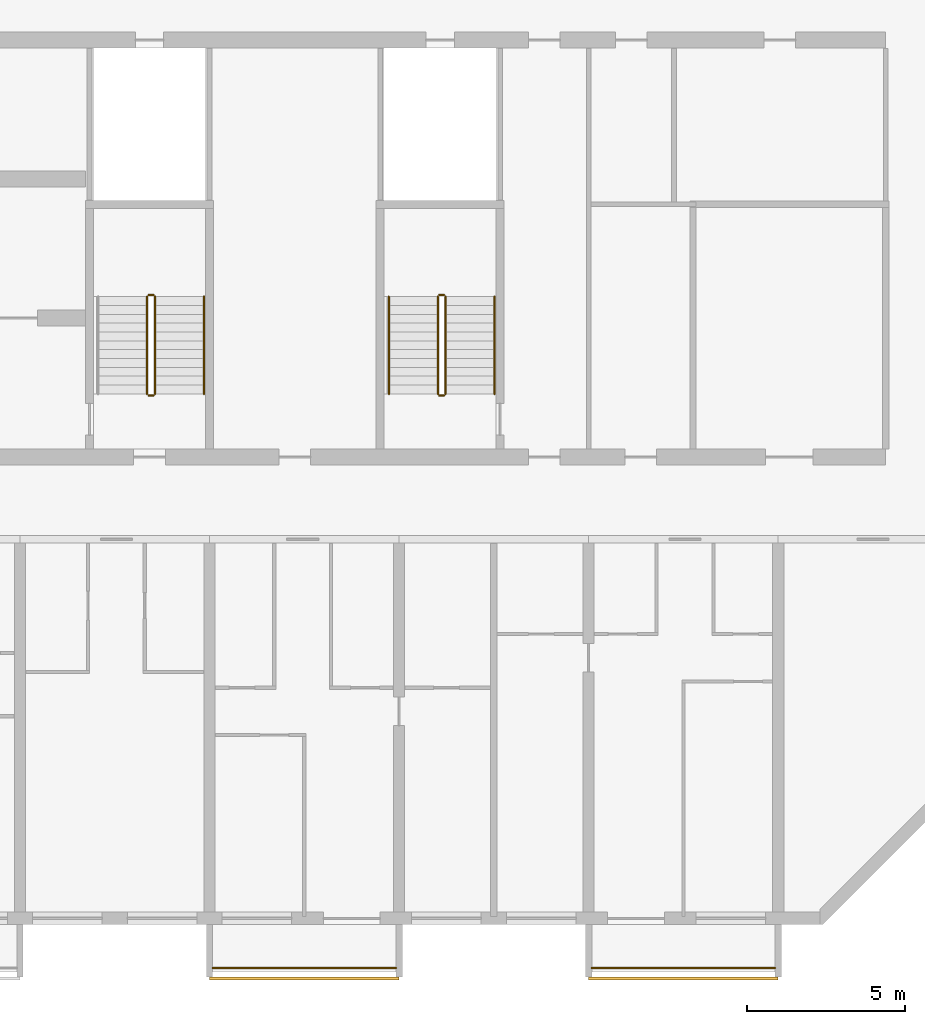
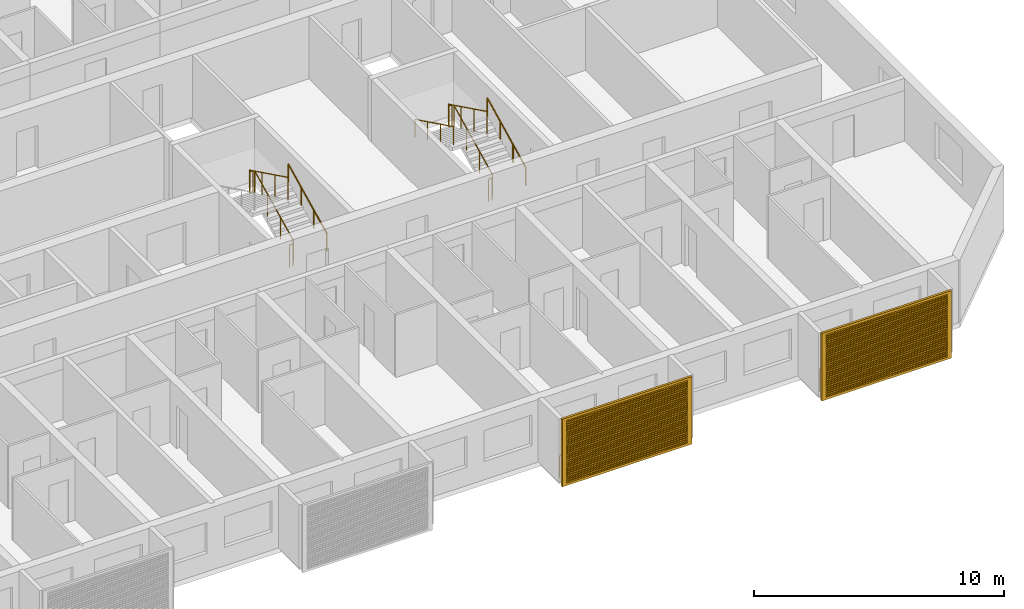
# One storey, part 25 of 27: 13 railings, 2 shading devices.
"""IFC4 building model written with IfcOpenShell, lengths in metres."""

from ifc_helpers import new_model, si_unit, direction, frame, origin, origin_2d, place, context, subcontext, project, spatial, polyline, circle, outline, extrude, source, transform, mapped, material, material_profile, profile_set, type_object, element, save


model = new_model("IFC4")

# Units and contexts
model_context = context("Model", 3, precision=1e-05, world=origin(), true_north=direction((0.0, 1.0)))
body_context = subcontext(model_context, "Body", "Model", "MODEL_VIEW")
ifc_project = project(units=[si_unit("LENGTHUNIT", "METRE"), si_unit("AREAUNIT", "SQUARE_METRE"), si_unit("VOLUMEUNIT", "CUBIC_METRE"), si_unit("PLANEANGLEUNIT", "RADIAN"), si_unit("MASSUNIT", "GRAM", prefix="KILO")], contexts=[model_context])

# Site, building, storey
site_placement = place(None, origin())
site = spatial("IfcSite", under=ifc_project, at=site_placement, CompositionType="ELEMENT")
building_placement = place(site_placement, origin())
building = spatial("IfcBuilding", under=site, at=building_placement, Name="Poui Terraces", CompositionType="ELEMENT")
storey_placement = place(building_placement, frame((0.0, 0.0, 76.199951171875)))
storey = spatial("IfcBuildingStorey", under=building, at=storey_placement, Name="L20", CompositionType="ELEMENT", Elevation=76.199951171875)

# Railings
ifc_material_1 = material(Name="Painted steel fretwork", Category="steel")
railing_type_1 = type_object("IfcRailingType", Name="BALCONY GUARD 1100", PredefinedType="GUARDRAIL", material=ifc_material_1)
for number, where, name in (
    (1, (72.10009765625, -1.570068359375, 0.0), "BALCONY GUARD"),
    (2, (84.10009765625, -1.570068359375, 0.0), "BALCONY GUARD"),
):
    element("IfcRailing", number, at=place(storey_placement, frame(where)), inside=storey, type_object=railing_type_1, Name=name, PredefinedType="GUARDRAIL", context=body_context, shape_type="SweptSolid", body=[
        extrude(circle(Radius=0.02392578125, at=origin_2d()), frame((0.0, 0.0, 1.076171875), z_axis=(1.0, 0.0, 0.0), x_axis=(0.0, 1.0, 0.0)), (0.0, 0.0, 1.0), 5.7998046875),
        extrude(circle(Radius=0.02099609375, at=origin_2d()), origin(), (0.0, 0.0, 1.0), 1.052001953125),
        extrude(circle(Radius=0.02099609375, at=origin_2d()), frame((0.966552734375, 0.0, 0.0)), (0.0, 0.0, 1.0), 1.052001953125),
        extrude(circle(Radius=0.02099609375, at=origin_2d()), frame((1.933349609375, 0.0, 0.0)), (0.0, 0.0, 1.0), 1.052001953125),
        extrude(circle(Radius=0.02099609375, at=origin_2d()), frame((2.89990234375, 0.0, 0.0)), (0.0, 0.0, 1.0), 1.052001953125),
        extrude(circle(Radius=0.02099609375, at=origin_2d()), frame((3.866455078125, 0.0, 0.0)), (0.0, 0.0, 1.0), 1.052001953125),
        extrude(circle(Radius=0.02099609375, at=origin_2d()), frame((4.833251953125, 0.0, 0.0)), (0.0, 0.0, 1.0), 1.052001953125),
        extrude(circle(Radius=0.02099609375, at=origin_2d()), frame((5.7998046875, 0.0, 0.0)), (0.0, 0.0, 1.0), 1.052001953125),
    ])
ifc_material_2 = material(Name="Galvanised steel balustrade", Category="steel")
railing_type_2 = type_object("IfcRailingType", Name="STAIR GUARD 1100", PredefinedType="GUARDRAIL", material=ifc_material_2)
railing_1_placement = place(storey_placement, frame((70.27490234375, 16.60009765625, 0.137451171875)))
element("IfcRailing", 3, at=railing_1_placement, inside=storey, type_object=railing_type_2, Name="L20 ST-CE stair guard 1", PredefinedType="GUARDRAIL", context=body_context, shape_type="SweptSolid", body=[
    extrude(circle(Radius=0.02392578125, at=origin_2d()), frame((0.0, 0.0, 1.076171875), z_axis=(0.0, 0.897578036475, 0.440855609512), x_axis=(-1.0, 0.0, 0.0)), (0.0, 0.0, 1.0), 3.43115234375),
    extrude(circle(Radius=0.02099609375, at=origin_2d()), origin(), (0.0, 0.0, 1.0), 1.052001953125),
    extrude(circle(Radius=0.02099609375, at=origin_2d()), frame((0.0, 1.026611328125, 0.504150390625)), (0.0, 0.0, 1.0), 1.052001953125),
    extrude(circle(Radius=0.02099609375, at=origin_2d()), frame((0.0, 2.05322265625, 1.008544921875)), (0.0, 0.0, 1.0), 1.052001953125),
    extrude(circle(Radius=0.02099609375, at=origin_2d()), frame((0.0, 3.079833984375, 1.5126953125)), (0.0, 0.0, 1.0), 1.052001953125),
])
railing_2_placement = place(storey_placement, frame((70.22509765625, 19.72998046875, 1.650146484375)))
element("IfcRailing", 4, at=railing_2_placement, inside=storey, type_object=railing_type_2, Name="L20 ST-CE stair guard 2", PredefinedType="GUARDRAIL", context=body_context, shape_type="SweptSolid", body=[
    extrude(circle(Radius=0.02392578125, at=origin_2d()), frame((0.0, 0.0, 1.076171875), z_axis=(-1.0, 0.0, 0.0), x_axis=(0.0, -1.0, 0.0)), (0.0, 0.0, 1.0), 0.150146484375),
    extrude(circle(Radius=0.02099609375, at=origin_2d()), origin(), (0.0, 0.0, 1.0), 1.052001953125),
    extrude(circle(Radius=0.02099609375, at=origin_2d()), frame((-0.150146484375, 0.0, 0.0)), (0.0, 0.0, 1.0), 1.052001953125),
])
railing_3_placement = place(storey_placement, frame((70.02490234375, 19.679931640625, 1.78759765625)))
element("IfcRailing", 5, at=railing_3_placement, inside=storey, type_object=railing_type_2, Name="L20 ST-CE stair guard 3", PredefinedType="GUARDRAIL", context=body_context, shape_type="SweptSolid", body=[
    extrude(circle(Radius=0.02392578125, at=origin_2d()), frame((0.0, 0.0, 1.076171875), z_axis=(0.0, -0.897606190399, 0.440798283751), x_axis=(1.0, 0.0, 0.0)), (0.0, 0.0, 1.0), 3.43115234375),
    extrude(circle(Radius=0.02099609375, at=origin_2d()), origin(), (0.0, 0.0, 1.0), 1.052001953125),
    extrude(circle(Radius=0.02099609375, at=origin_2d()), frame((0.0, -1.026611328125, 0.504150390625)), (0.0, 0.0, 1.0), 1.052001953125),
    extrude(circle(Radius=0.02099609375, at=origin_2d()), frame((0.0, -2.05322265625, 1.00830078125)), (0.0, 0.0, 1.0), 1.052001953125),
    extrude(circle(Radius=0.02099609375, at=origin_2d()), frame((0.0, -3.079833984375, 1.512451171875)), (0.0, 0.0, 1.0), 1.052001953125),
])
railing_4_placement = place(storey_placement, frame((70.22509765625, 16.550048828125, 0.0)))
element("IfcRailing", 6, at=railing_4_placement, inside=storey, type_object=railing_type_2, Name="L20 ST-CE stair guard 4", PredefinedType="GUARDRAIL", context=body_context, shape_type="SweptSolid", body=[
    extrude(circle(Radius=0.02392578125, at=origin_2d()), frame((0.0, 0.0, 1.076171875), z_axis=(-1.0, 0.0, 0.0), x_axis=(0.0, -1.0, 0.0)), (0.0, 0.0, 1.0), 0.150146484375),
    extrude(circle(Radius=0.02099609375, at=origin_2d()), origin(), (0.0, 0.0, 1.0), 1.052001953125),
    extrude(circle(Radius=0.02099609375, at=origin_2d()), frame((-0.150146484375, 0.0, 0.0)), (0.0, 0.0, 1.0), 1.052001953125),
])
railing_5_placement = place(storey_placement, frame((79.47509765625, 16.60009765625, 0.137451171875)))
element("IfcRailing", 7, at=railing_5_placement, inside=storey, type_object=railing_type_2, Name="L20 ST-E stair guard 1", PredefinedType="GUARDRAIL", context=body_context, shape_type="SweptSolid", body=[
    extrude(circle(Radius=0.02392578125, at=origin_2d()), frame((0.0, 0.0, 1.076171875), z_axis=(0.0, 0.897578036475, 0.440855609512), x_axis=(-1.0, 0.0, 0.0)), (0.0, 0.0, 1.0), 3.43115234375),
    extrude(circle(Radius=0.02099609375, at=origin_2d()), origin(), (0.0, 0.0, 1.0), 1.052001953125),
    extrude(circle(Radius=0.02099609375, at=origin_2d()), frame((0.0, 1.026611328125, 0.504150390625)), (0.0, 0.0, 1.0), 1.052001953125),
    extrude(circle(Radius=0.02099609375, at=origin_2d()), frame((0.0, 2.05322265625, 1.008544921875)), (0.0, 0.0, 1.0), 1.052001953125),
    extrude(circle(Radius=0.02099609375, at=origin_2d()), frame((0.0, 3.079833984375, 1.5126953125)), (0.0, 0.0, 1.0), 1.052001953125),
])
railing_6_placement = place(storey_placement, frame((79.425048828125, 19.72998046875, 1.650146484375)))
element("IfcRailing", 8, at=railing_6_placement, inside=storey, type_object=railing_type_2, Name="L20 ST-E stair guard 2", PredefinedType="GUARDRAIL", context=body_context, shape_type="SweptSolid", body=[
    extrude(circle(Radius=0.02392578125, at=origin_2d()), frame((0.0, 0.0, 1.076171875), z_axis=(-1.0, 0.0, 0.0), x_axis=(0.0, -1.0, 0.0)), (0.0, 0.0, 1.0), 0.150146484375),
    extrude(circle(Radius=0.02099609375, at=origin_2d()), origin(), (0.0, 0.0, 1.0), 1.052001953125),
    extrude(circle(Radius=0.02099609375, at=origin_2d()), frame((-0.150146484375, 0.0, 0.0)), (0.0, 0.0, 1.0), 1.052001953125),
])
railing_7_placement = place(storey_placement, frame((79.22509765625, 19.679931640625, 1.78759765625)))
element("IfcRailing", 9, at=railing_7_placement, inside=storey, type_object=railing_type_2, Name="L20 ST-E stair guard 3", PredefinedType="GUARDRAIL", context=body_context, shape_type="SweptSolid", body=[
    extrude(circle(Radius=0.02392578125, at=origin_2d()), frame((0.0, 0.0, 1.076171875), z_axis=(0.0, -0.897606190399, 0.440798283751), x_axis=(1.0, 0.0, 0.0)), (0.0, 0.0, 1.0), 3.43115234375),
    extrude(circle(Radius=0.02099609375, at=origin_2d()), origin(), (0.0, 0.0, 1.0), 1.052001953125),
    extrude(circle(Radius=0.02099609375, at=origin_2d()), frame((0.0, -1.026611328125, 0.504150390625)), (0.0, 0.0, 1.0), 1.052001953125),
    extrude(circle(Radius=0.02099609375, at=origin_2d()), frame((0.0, -2.05322265625, 1.00830078125)), (0.0, 0.0, 1.0), 1.052001953125),
    extrude(circle(Radius=0.02099609375, at=origin_2d()), frame((0.0, -3.079833984375, 1.512451171875)), (0.0, 0.0, 1.0), 1.052001953125),
])
railing_8_placement = place(storey_placement, frame((79.425048828125, 16.550048828125, 0.0)))
element("IfcRailing", 10, at=railing_8_placement, inside=storey, type_object=railing_type_2, Name="L20 ST-E stair guard 4", PredefinedType="GUARDRAIL", context=body_context, shape_type="SweptSolid", body=[
    extrude(circle(Radius=0.02392578125, at=origin_2d()), frame((0.0, 0.0, 1.076171875), z_axis=(-1.0, 0.0, 0.0), x_axis=(0.0, -1.0, 0.0)), (0.0, 0.0, 1.0), 0.150146484375),
    extrude(circle(Radius=0.02099609375, at=origin_2d()), origin(), (0.0, 0.0, 1.0), 1.052001953125),
    extrude(circle(Radius=0.02099609375, at=origin_2d()), frame((-0.150146484375, 0.0, 0.0)), (0.0, 0.0, 1.0), 1.052001953125),
])
ifc_material_3 = material(Name="Stainless steel handrail", Category="steel")
railing_type_3 = type_object("IfcRailingType", Name="STAIR HANDRAIL 900", PredefinedType="HANDRAIL", material=ifc_material_3)
for number, where, name in (
    (11, (71.824951171875, 16.60009765625, 0.137451171875), "L20 ST-CE stair handrail 1"),
    (12, (81.02490234375, 16.60009765625, 0.137451171875), "L20 ST-E stair handrail 1"),
):
    element("IfcRailing", number, at=place(storey_placement, frame(where)), inside=storey, type_object=railing_type_3, Name=name, PredefinedType="HANDRAIL", context=body_context, shape_type="SweptSolid", body=[
        extrude(circle(Radius=0.02392578125, at=origin_2d()), frame((0.0, 0.0, 0.8759765625), z_axis=(0.0, 0.897578036475, 0.440855609512), x_axis=(-1.0, 0.0, 0.0)), (0.0, 0.0, 1.0), 3.43115234375),
        extrude(circle(Radius=0.02099609375, at=origin_2d()), origin(), (0.0, 0.0, 1.0), 0.851806640625),
        extrude(circle(Radius=0.02099609375, at=origin_2d()), frame((0.0, 1.026611328125, 0.504150390625)), (0.0, 0.0, 1.0), 0.851806640625),
        extrude(circle(Radius=0.02099609375, at=origin_2d()), frame((0.0, 2.05322265625, 1.008544921875)), (0.0, 0.0, 1.0), 0.851806640625),
        extrude(circle(Radius=0.02099609375, at=origin_2d()), frame((0.0, 3.079833984375, 1.5126953125)), (0.0, 0.0, 1.0), 0.851806640625),
    ])
railing_9_placement = place(storey_placement, frame((77.675048828125, 19.679931640625, 1.78759765625)))
element("IfcRailing", 13, at=railing_9_placement, inside=storey, type_object=railing_type_3, Name="L20 ST-E stair handrail 2", PredefinedType="HANDRAIL", context=body_context, shape_type="SweptSolid", body=[
    extrude(circle(Radius=0.02392578125, at=origin_2d()), frame((0.0, 0.0, 0.8759765625), z_axis=(0.0, -0.897606190399, 0.440798283751), x_axis=(1.0, 0.0, 0.0)), (0.0, 0.0, 1.0), 3.43115234375),
    extrude(circle(Radius=0.02099609375, at=origin_2d()), origin(), (0.0, 0.0, 1.0), 0.851806640625),
    extrude(circle(Radius=0.02099609375, at=origin_2d()), frame((0.0, -1.026611328125, 0.504150390625)), (0.0, 0.0, 1.0), 0.851806640625),
    extrude(circle(Radius=0.02099609375, at=origin_2d()), frame((0.0, -2.05322265625, 1.00830078125)), (0.0, 0.0, 1.0), 0.851806640625),
    extrude(circle(Radius=0.02099609375, at=origin_2d()), frame((0.0, -3.079833984375, 1.512451171875)), (0.0, 0.0, 1.0), 0.851806640625),
])

# Shading devices
ifc_material_4 = material(Name="Aluminium louvre", Category="aluminium")
ifc_material_profile = material_profile(ifc_material_4, outline(polyline([(-3.0, -1.64990234375), (3.0, -1.64990234375), (3.0, 1.64990234375), (-3.0, 1.64990234375), (-3.0, -1.64990234375)]), holes=[polyline([(-2.800048828125, -1.530029296875), (2.800048828125, -1.530029296875), (2.800048828125, -1.469970703125), (-2.800048828125, -1.469970703125), (-2.800048828125, -1.530029296875)]), polyline([(-2.800048828125, -1.429931640625), (2.800048828125, -1.429931640625), (2.800048828125, -1.3701171875), (-2.800048828125, -1.3701171875), (-2.800048828125, -1.429931640625)]), polyline([(-2.800048828125, -1.330078125), (2.800048828125, -1.330078125), (2.800048828125, -1.27001953125), (-2.800048828125, -1.27001953125), (-2.800048828125, -1.330078125)]), polyline([(-2.800048828125, -1.22998046875), (2.800048828125, -1.22998046875), (2.800048828125, -1.169921875), (-2.800048828125, -1.169921875), (-2.800048828125, -1.22998046875)]), polyline([(-2.800048828125, -1.1298828125), (2.800048828125, -1.1298828125), (2.800048828125, -1.070068359375), (-2.800048828125, -1.070068359375), (-2.800048828125, -1.1298828125)]), polyline([(-2.800048828125, -1.030029296875), (2.800048828125, -1.030029296875), (2.800048828125, -0.969970703125), (-2.800048828125, -0.969970703125), (-2.800048828125, -1.030029296875)]), polyline([(-2.800048828125, -0.929931640625), (2.800048828125, -0.929931640625), (2.800048828125, -0.8701171875), (-2.800048828125, -0.8701171875), (-2.800048828125, -0.929931640625)]), polyline([(-2.800048828125, -0.830078125), (2.800048828125, -0.830078125), (2.800048828125, -0.77001953125), (-2.800048828125, -0.77001953125), (-2.800048828125, -0.830078125)]), polyline([(-2.800048828125, -0.72998046875), (2.800048828125, -0.72998046875), (2.800048828125, -0.669921875), (-2.800048828125, -0.669921875), (-2.800048828125, -0.72998046875)]), polyline([(-2.800048828125, -0.6298828125), (2.800048828125, -0.6298828125), (2.800048828125, -0.570068359375), (-2.800048828125, -0.570068359375), (-2.800048828125, -0.6298828125)]), polyline([(-2.800048828125, -0.530029296875), (2.800048828125, -0.530029296875), (2.800048828125, -0.469970703125), (-2.800048828125, -0.469970703125), (-2.800048828125, -0.530029296875)]), polyline([(-2.800048828125, -0.429931640625), (2.800048828125, -0.429931640625), (2.800048828125, -0.3701171875), (-2.800048828125, -0.3701171875), (-2.800048828125, -0.429931640625)]), polyline([(-2.800048828125, -0.330078125), (2.800048828125, -0.330078125), (2.800048828125, -0.27001953125), (-2.800048828125, -0.27001953125), (-2.800048828125, -0.330078125)]), polyline([(-2.800048828125, -0.22998046875), (2.800048828125, -0.22998046875), (2.800048828125, -0.169921875), (-2.800048828125, -0.169921875), (-2.800048828125, -0.22998046875)]), polyline([(-2.800048828125, -0.1298828125), (2.800048828125, -0.1298828125), (2.800048828125, -0.070068359375), (-2.800048828125, -0.070068359375), (-2.800048828125, -0.1298828125)]), polyline([(-2.800048828125, -0.030029296875), (2.800048828125, -0.030029296875), (2.800048828125, 0.030029296875), (-2.800048828125, 0.030029296875), (-2.800048828125, -0.030029296875)]), polyline([(-2.800048828125, 0.070068359375), (2.800048828125, 0.070068359375), (2.800048828125, 0.1298828125), (-2.800048828125, 0.1298828125), (-2.800048828125, 0.070068359375)]), polyline([(-2.800048828125, 0.169921875), (2.800048828125, 0.169921875), (2.800048828125, 0.22998046875), (-2.800048828125, 0.22998046875), (-2.800048828125, 0.169921875)]), polyline([(-2.800048828125, 0.27001953125), (2.800048828125, 0.27001953125), (2.800048828125, 0.330078125), (-2.800048828125, 0.330078125), (-2.800048828125, 0.27001953125)]), polyline([(-2.800048828125, 0.3701171875), (2.800048828125, 0.3701171875), (2.800048828125, 0.429931640625), (-2.800048828125, 0.429931640625), (-2.800048828125, 0.3701171875)]), polyline([(-2.800048828125, 0.469970703125), (2.800048828125, 0.469970703125), (2.800048828125, 0.530029296875), (-2.800048828125, 0.530029296875), (-2.800048828125, 0.469970703125)]), polyline([(-2.800048828125, 0.570068359375), (2.800048828125, 0.570068359375), (2.800048828125, 0.6298828125), (-2.800048828125, 0.6298828125), (-2.800048828125, 0.570068359375)]), polyline([(-2.800048828125, 0.669921875), (2.800048828125, 0.669921875), (2.800048828125, 0.72998046875), (-2.800048828125, 0.72998046875), (-2.800048828125, 0.669921875)]), polyline([(-2.800048828125, 0.77001953125), (2.800048828125, 0.77001953125), (2.800048828125, 0.830078125), (-2.800048828125, 0.830078125), (-2.800048828125, 0.77001953125)]), polyline([(-2.800048828125, 0.8701171875), (2.800048828125, 0.8701171875), (2.800048828125, 0.929931640625), (-2.800048828125, 0.929931640625), (-2.800048828125, 0.8701171875)]), polyline([(-2.800048828125, 0.969970703125), (2.800048828125, 0.969970703125), (2.800048828125, 1.030029296875), (-2.800048828125, 1.030029296875), (-2.800048828125, 0.969970703125)]), polyline([(-2.800048828125, 1.070068359375), (2.800048828125, 1.070068359375), (2.800048828125, 1.1298828125), (-2.800048828125, 1.1298828125), (-2.800048828125, 1.070068359375)]), polyline([(-2.800048828125, 1.169921875), (2.800048828125, 1.169921875), (2.800048828125, 1.22998046875), (-2.800048828125, 1.22998046875), (-2.800048828125, 1.169921875)]), polyline([(-2.800048828125, 1.27001953125), (2.800048828125, 1.27001953125), (2.800048828125, 1.330078125), (-2.800048828125, 1.330078125), (-2.800048828125, 1.27001953125)]), polyline([(-2.800048828125, 1.3701171875), (2.800048828125, 1.3701171875), (2.800048828125, 1.429931640625), (-2.800048828125, 1.429931640625), (-2.800048828125, 1.3701171875)]), polyline([(-2.800048828125, 1.469970703125), (2.800048828125, 1.469970703125), (2.800048828125, 1.530029296875), (-2.800048828125, 1.530029296875), (-2.800048828125, 1.469970703125)])]), Name="JALOUSIE LOUVRE SHUTTER 6000X3300")
ifc_profile_set = profile_set([ifc_material_profile], Name="Aluminium louvre")
shading_device_type = type_object("IfcShadingDeviceType", Name="JALOUSIE LOUVRE SHUTTER 6000X3300", PredefinedType="JALOUSIE", material=ifc_profile_set)
shared_shape = source(origin(), body_context, "Body", "SweptSolid", [
    extrude(outline(polyline([(-3.0, -1.64990234375), (3.0, -1.64990234375), (3.0, 1.64990234375), (-3.0, 1.64990234375), (-3.0, -1.64990234375)]), holes=[polyline([(-2.800048828125, -1.530029296875), (2.800048828125, -1.530029296875), (2.800048828125, -1.469970703125), (-2.800048828125, -1.469970703125), (-2.800048828125, -1.530029296875)]), polyline([(-2.800048828125, -1.429931640625), (2.800048828125, -1.429931640625), (2.800048828125, -1.3701171875), (-2.800048828125, -1.3701171875), (-2.800048828125, -1.429931640625)]), polyline([(-2.800048828125, -1.330078125), (2.800048828125, -1.330078125), (2.800048828125, -1.27001953125), (-2.800048828125, -1.27001953125), (-2.800048828125, -1.330078125)]), polyline([(-2.800048828125, -1.22998046875), (2.800048828125, -1.22998046875), (2.800048828125, -1.169921875), (-2.800048828125, -1.169921875), (-2.800048828125, -1.22998046875)]), polyline([(-2.800048828125, -1.1298828125), (2.800048828125, -1.1298828125), (2.800048828125, -1.070068359375), (-2.800048828125, -1.070068359375), (-2.800048828125, -1.1298828125)]), polyline([(-2.800048828125, -1.030029296875), (2.800048828125, -1.030029296875), (2.800048828125, -0.969970703125), (-2.800048828125, -0.969970703125), (-2.800048828125, -1.030029296875)]), polyline([(-2.800048828125, -0.929931640625), (2.800048828125, -0.929931640625), (2.800048828125, -0.8701171875), (-2.800048828125, -0.8701171875), (-2.800048828125, -0.929931640625)]), polyline([(-2.800048828125, -0.830078125), (2.800048828125, -0.830078125), (2.800048828125, -0.77001953125), (-2.800048828125, -0.77001953125), (-2.800048828125, -0.830078125)]), polyline([(-2.800048828125, -0.72998046875), (2.800048828125, -0.72998046875), (2.800048828125, -0.669921875), (-2.800048828125, -0.669921875), (-2.800048828125, -0.72998046875)]), polyline([(-2.800048828125, -0.6298828125), (2.800048828125, -0.6298828125), (2.800048828125, -0.570068359375), (-2.800048828125, -0.570068359375), (-2.800048828125, -0.6298828125)]), polyline([(-2.800048828125, -0.530029296875), (2.800048828125, -0.530029296875), (2.800048828125, -0.469970703125), (-2.800048828125, -0.469970703125), (-2.800048828125, -0.530029296875)]), polyline([(-2.800048828125, -0.429931640625), (2.800048828125, -0.429931640625), (2.800048828125, -0.3701171875), (-2.800048828125, -0.3701171875), (-2.800048828125, -0.429931640625)]), polyline([(-2.800048828125, -0.330078125), (2.800048828125, -0.330078125), (2.800048828125, -0.27001953125), (-2.800048828125, -0.27001953125), (-2.800048828125, -0.330078125)]), polyline([(-2.800048828125, -0.22998046875), (2.800048828125, -0.22998046875), (2.800048828125, -0.169921875), (-2.800048828125, -0.169921875), (-2.800048828125, -0.22998046875)]), polyline([(-2.800048828125, -0.1298828125), (2.800048828125, -0.1298828125), (2.800048828125, -0.070068359375), (-2.800048828125, -0.070068359375), (-2.800048828125, -0.1298828125)]), polyline([(-2.800048828125, -0.030029296875), (2.800048828125, -0.030029296875), (2.800048828125, 0.030029296875), (-2.800048828125, 0.030029296875), (-2.800048828125, -0.030029296875)]), polyline([(-2.800048828125, 0.070068359375), (2.800048828125, 0.070068359375), (2.800048828125, 0.1298828125), (-2.800048828125, 0.1298828125), (-2.800048828125, 0.070068359375)]), polyline([(-2.800048828125, 0.169921875), (2.800048828125, 0.169921875), (2.800048828125, 0.22998046875), (-2.800048828125, 0.22998046875), (-2.800048828125, 0.169921875)]), polyline([(-2.800048828125, 0.27001953125), (2.800048828125, 0.27001953125), (2.800048828125, 0.330078125), (-2.800048828125, 0.330078125), (-2.800048828125, 0.27001953125)]), polyline([(-2.800048828125, 0.3701171875), (2.800048828125, 0.3701171875), (2.800048828125, 0.429931640625), (-2.800048828125, 0.429931640625), (-2.800048828125, 0.3701171875)]), polyline([(-2.800048828125, 0.469970703125), (2.800048828125, 0.469970703125), (2.800048828125, 0.530029296875), (-2.800048828125, 0.530029296875), (-2.800048828125, 0.469970703125)]), polyline([(-2.800048828125, 0.570068359375), (2.800048828125, 0.570068359375), (2.800048828125, 0.6298828125), (-2.800048828125, 0.6298828125), (-2.800048828125, 0.570068359375)]), polyline([(-2.800048828125, 0.669921875), (2.800048828125, 0.669921875), (2.800048828125, 0.72998046875), (-2.800048828125, 0.72998046875), (-2.800048828125, 0.669921875)]), polyline([(-2.800048828125, 0.77001953125), (2.800048828125, 0.77001953125), (2.800048828125, 0.830078125), (-2.800048828125, 0.830078125), (-2.800048828125, 0.77001953125)]), polyline([(-2.800048828125, 0.8701171875), (2.800048828125, 0.8701171875), (2.800048828125, 0.929931640625), (-2.800048828125, 0.929931640625), (-2.800048828125, 0.8701171875)]), polyline([(-2.800048828125, 0.969970703125), (2.800048828125, 0.969970703125), (2.800048828125, 1.030029296875), (-2.800048828125, 1.030029296875), (-2.800048828125, 0.969970703125)]), polyline([(-2.800048828125, 1.070068359375), (2.800048828125, 1.070068359375), (2.800048828125, 1.1298828125), (-2.800048828125, 1.1298828125), (-2.800048828125, 1.070068359375)]), polyline([(-2.800048828125, 1.169921875), (2.800048828125, 1.169921875), (2.800048828125, 1.22998046875), (-2.800048828125, 1.22998046875), (-2.800048828125, 1.169921875)]), polyline([(-2.800048828125, 1.27001953125), (2.800048828125, 1.27001953125), (2.800048828125, 1.330078125), (-2.800048828125, 1.330078125), (-2.800048828125, 1.27001953125)]), polyline([(-2.800048828125, 1.3701171875), (2.800048828125, 1.3701171875), (2.800048828125, 1.429931640625), (-2.800048828125, 1.429931640625), (-2.800048828125, 1.3701171875)]), polyline([(-2.800048828125, 1.469970703125), (2.800048828125, 1.469970703125), (2.800048828125, 1.530029296875), (-2.800048828125, 1.530029296875), (-2.800048828125, 1.469970703125)])]), origin(), (0.0, 0.0, 1.0), 0.099853515625),
])
for number, where, z_axis, x_axis, name in (
    (14, (75.0, -1.85009765625, 1.449951171875), (0.0, -1.0, 0.0), (1.0, 0.0, 0.0), "JALOUSIE LOUVRE SHUTTER"),
    (15, (87.0, -1.85009765625, 1.449951171875), (0.0, -1.0, 0.0), (1.0, 0.0, 0.0), "JALOUSIE LOUVRE SHUTTER"),
):
    element("IfcShadingDevice", number, at=place(storey_placement, frame(where, z_axis=z_axis, x_axis=x_axis)), inside=storey, type_object=shading_device_type, Name=name, PredefinedType="JALOUSIE", context=body_context, shape_type="MappedRepresentation", body=[
        mapped(shared_shape, transform((0.0, 0.0, 0.0))),
    ])

save(model, "model.ifc")
